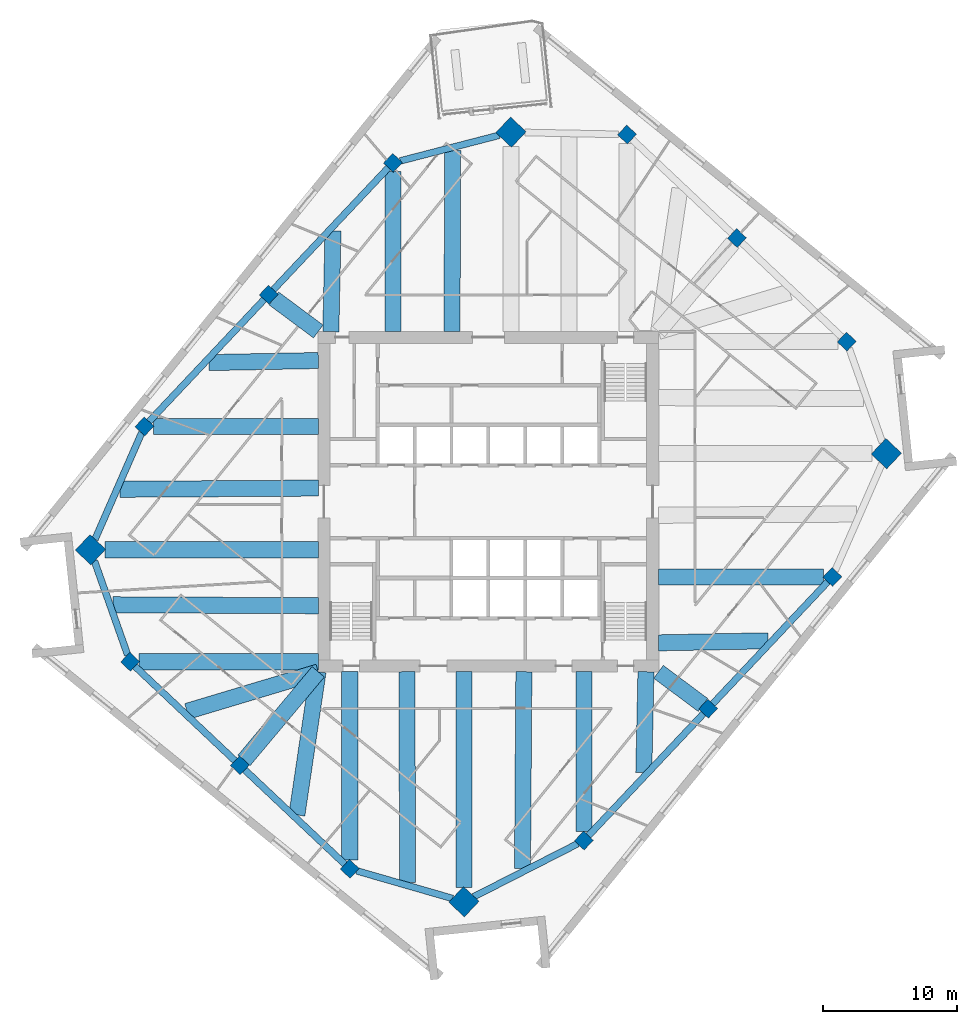
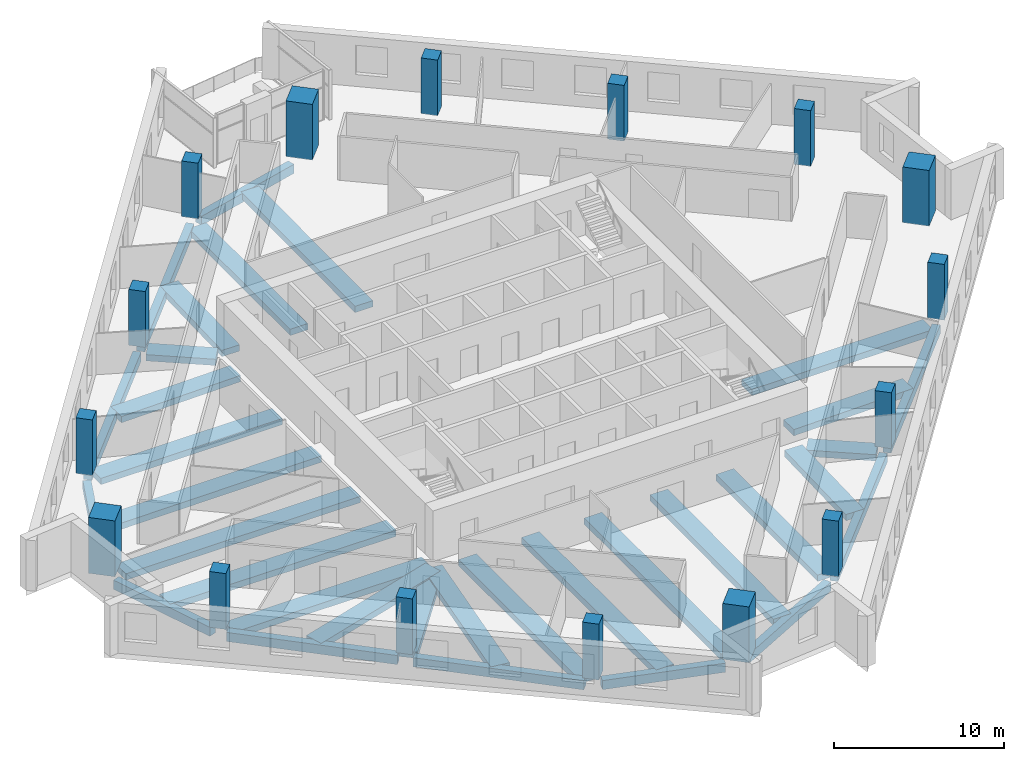
# One storey, part 1 of 14: 33 beams, 16 columns.
"""IFC4 building model written with IfcOpenShell, lengths in metres."""

from ifc_helpers import new_model, si_unit, direction, frame, origin, origin_2d, place, context, subcontext, project, spatial, rectangle, extrude, material, material_profile, profile_set, type_object, element, save


model = new_model("IFC4")

# Units and contexts
model_context = context("Model", 3, precision=1e-05, world=origin(), true_north=direction((0.0, 1.0)))
body_context = subcontext(model_context, "Body", "Model", "MODEL_VIEW")
ifc_project = project(units=[si_unit("LENGTHUNIT", "METRE"), si_unit("AREAUNIT", "SQUARE_METRE"), si_unit("VOLUMEUNIT", "CUBIC_METRE"), si_unit("PLANEANGLEUNIT", "RADIAN"), si_unit("MASSUNIT", "GRAM", prefix="KILO")], contexts=[model_context])

# Site, building, storey
site_placement = place(None, origin())
site = spatial("IfcSite", under=ifc_project, at=site_placement, CompositionType="ELEMENT")
building_placement = place(site_placement, origin())
building = spatial("IfcBuilding", under=site, at=building_placement, Name="Dilmun Exchange Tower", CompositionType="ELEMENT")
storey_placement = place(building_placement, frame((0.0, 0.0, 225.300048828125)))
storey = spatial("IfcBuildingStorey", under=building, at=storey_placement, Name="L53", CompositionType="ELEMENT", Elevation=225.300048828125)

# Columns
ifc_material_1 = material(Name="Concrete C60/75", Category="concrete")
ifc_material_profile_1 = material_profile(ifc_material_1, rectangle(XDim=1.60009765625, YDim=1.60009765625, at=origin_2d()), Name="1600 x 1600")
ifc_profile_set_1 = profile_set([ifc_material_profile_1], Name="Concrete C60/75")
column_type_1 = type_object("IfcColumnType", Name="RC mega column 1600 x 1600 C60/75", PredefinedType="COLUMN", material=ifc_profile_set_1)
for number, where, z_axis, x_axis, name in (
    (1, (1.68505859375, 27.5380859375, 0.0), (0.0, 0.0, 1.0), (0.685916152371, 0.727680583715, 0.0), "Mega column M1"),
    (2, (-29.658935546875, -3.58203125, 0.0), (0.0, 0.0, 1.0), (0.685916152371, 0.727680583715, 0.0), "Mega column M2"),
    (3, (-1.824951171875, -29.818115234375, 0.0), (0.0, 0.0, 1.0), (0.685916152371, 0.727680583715, 0.0), "Mega column M3"),
    (4, (29.658935546875, 3.58203125, 0.0), (0.0, 0.0, 1.0), (0.685916152371, 0.727680583715, 0.0), "Mega column M4"),
):
    element("IfcColumn", number, at=place(storey_placement, frame(where, z_axis=z_axis, x_axis=x_axis)), inside=storey, type_object=column_type_1, Name=name, PredefinedType="COLUMN", context=body_context, shape_type="SweptSolid", body=[
        extrude(rectangle(XDim=1.60009765625, YDim=1.60009765625, at=origin_2d()), origin(), (0.0, 0.0, 1.0), 4.0),
    ])
ifc_material_profile_2 = material_profile(ifc_material_1, rectangle(XDim=1.0, YDim=1.0, at=origin_2d()), Name="1000 x 1000")
ifc_profile_set_2 = profile_set([ifc_material_profile_2], Name="Concrete C60/75")
column_type_2 = type_object("IfcColumnType", Name="RC ring column 1000 x 1000 C60/75", PredefinedType="COLUMN", material=ifc_profile_set_2)
for number, where, z_axis, x_axis, name in (
    (5, (-7.113037109375, 25.257080078125, 0.0), (0.0, 0.0, 1.0), (0.685916152371, 0.727680583715, 0.0), "Ring column R01"),
    (6, (-16.373046875, 15.43310546875, 0.0), (0.0, 0.0, 1.0), (0.685916152371, 0.727680583715, 0.0), "Ring column R02"),
    (7, (-25.633056640625, 5.60888671875, 0.0), (0.0, 0.0, 1.0), (0.685916152371, 0.727680583715, 0.0), "Ring column R03"),
    (8, (-26.7060546875, -11.930908203125, 0.0), (0.0, 0.0, 1.0), (0.685916152371, 0.727680583715, 0.0), "Ring column R04"),
    (9, (-18.52001953125, -19.64697265625, 0.0), (0.0, 0.0, 1.0), (0.685916152371, 0.727680583715, 0.0), "Ring column R05"),
    (10, (-10.3330078125, -27.364013671875, 0.0), (0.0, 0.0, 1.0), (0.685916152371, 0.727680583715, 0.0), "Ring column R06"),
    (11, (7.113037109375, -25.257080078125, 0.0), (0.0, 0.0, 1.0), (0.685916152371, 0.727680583715, 0.0), "Ring column R07"),
    (12, (16.373046875, -15.43310546875, 0.0), (0.0, 0.0, 1.0), (0.685916152371, 0.727680583715, 0.0), "Ring column R08"),
    (13, (25.633056640625, -5.60888671875, 0.0), (0.0, 0.0, 1.0), (0.685916152371, 0.727680583715, 0.0), "Ring column R09"),
    (14, (26.7060546875, 11.930908203125, 0.0), (0.0, 0.0, 1.0), (0.685916152371, 0.727680583715, 0.0), "Ring column R10"),
    (15, (18.52001953125, 19.64697265625, 0.0), (0.0, 0.0, 1.0), (0.685916152371, 0.727680583715, 0.0), "Ring column R11"),
    (16, (10.3330078125, 27.364013671875, 0.0), (0.0, 0.0, 1.0), (0.685916152371, 0.727680583715, 0.0), "Ring column R12"),
):
    element("IfcColumn", number, at=place(storey_placement, frame(where, z_axis=z_axis, x_axis=x_axis)), inside=storey, type_object=column_type_2, Name=name, PredefinedType="COLUMN", context=body_context, shape_type="SweptSolid", body=[
        extrude(rectangle(XDim=1.0, YDim=1.0, at=origin_2d()), origin(), (0.0, 0.0, 1.0), 4.0),
    ])

# Beams
ifc_material_2 = material(Name="Concrete C40/50", Category="concrete")
ifc_material_profile_3 = material_profile(ifc_material_2, rectangle(XDim=1.199951171875, YDim=0.449951171875, at=origin_2d()), Name="1200 x 450")
ifc_profile_set_3 = profile_set([ifc_material_profile_3], Name="Concrete C40/50")
beam_type_1 = type_object("IfcBeamType", Name="RC band beam 1200 x 450 C40/50", PredefinedType="BEAM", material=ifc_profile_set_3)
beam_1_placement = place(storey_placement, frame((-7.113037109375, 24.596923828125, -0.705078125), z_axis=(0.0, -1.0, 0.0), x_axis=(1.0, 0.0, 0.0)))
element("IfcBeam", 17, at=beam_1_placement, inside=storey, type_object=beam_type_1, Name="Band beam 2", PredefinedType="BEAM", context=body_context, shape_type="SweptSolid", body=[
    extrude(rectangle(XDim=1.199951171875, YDim=0.449951171875, at=origin_2d()), origin(), (0.0, 0.0, 1.0), 11.923828125),
])
beam_2_placement = place(storey_placement, frame((-15.99072265625, 15.148681640625, -0.705078125), z_axis=(0.802264832552, -0.596968289317, 0.0), x_axis=(0.596968289317, 0.802264832552, 0.0)))
element("IfcBeam", 18, at=beam_2_placement, inside=storey, type_object=beam_type_1, Name="Band beam 3", PredefinedType="BEAM", context=body_context, shape_type="SweptSolid", body=[
    extrude(rectangle(XDim=1.199951171875, YDim=0.449951171875, at=origin_2d()), origin(), (0.0, 0.0, 1.0), 4.12890625),
])
beam_3_placement = place(storey_placement, frame((-24.972900390625, 5.60888671875, -0.705078125), z_axis=(1.0, 0.0, 0.0), x_axis=(0.0, 1.0, 0.0)))
element("IfcBeam", 19, at=beam_3_placement, inside=storey, type_object=beam_type_1, Name="Band beam 4", PredefinedType="BEAM", context=body_context, shape_type="SweptSolid", body=[
    extrude(rectangle(XDim=1.199951171875, YDim=0.449951171875, at=origin_2d()), origin(), (0.0, 0.0, 1.0), 12.2998046875),
])
beam_4_placement = place(storey_placement, frame((-28.586669921875, -3.58203125, -0.705078125), z_axis=(1.0, 0.0, 0.0), x_axis=(0.0, 1.0, 0.0)))
element("IfcBeam", 20, at=beam_4_placement, inside=storey, type_object=beam_type_1, Name="Band beam 5", PredefinedType="BEAM", context=body_context, shape_type="SweptSolid", body=[
    extrude(rectangle(XDim=1.199951171875, YDim=0.449951171875, at=origin_2d()), origin(), (0.0, 0.0, 1.0), 15.91357421875),
])
beam_5_placement = place(storey_placement, frame((-26.0458984375, -11.930908203125, -0.705078125), z_axis=(1.0, 0.0, 0.0), x_axis=(0.0, 1.0, 0.0)))
element("IfcBeam", 21, at=beam_5_placement, inside=storey, type_object=beam_type_1, Name="Band beam 6", PredefinedType="BEAM", context=body_context, shape_type="SweptSolid", body=[
    extrude(rectangle(XDim=1.199951171875, YDim=0.449951171875, at=origin_2d()), origin(), (0.0, 0.0, 1.0), 13.372802734375),
])
beam_6_placement = place(storey_placement, frame((-18.2158203125, -19.28369140625, -0.705078125), z_axis=(0.642200063897, 0.766537068856, 0.0), x_axis=(-0.766537068856, 0.642200063897, 0.0)))
element("IfcBeam", 22, at=beam_6_placement, inside=storey, type_object=beam_type_1, Name="Band beam 7", PredefinedType="BEAM", context=body_context, shape_type="SweptSolid", body=[
    extrude(rectangle(XDim=1.199951171875, YDim=0.449951171875, at=origin_2d()), origin(), (0.0, 0.0, 1.0), 8.615966796875),
])
beam_7_placement = place(storey_placement, frame((-10.3330078125, -26.703857421875, -0.705078125), z_axis=(0.0, 1.0, 0.0), x_axis=(-1.0, 0.0, 0.0)))
element("IfcBeam", 23, at=beam_7_placement, inside=storey, type_object=beam_type_1, Name="Band beam 8", PredefinedType="BEAM", context=body_context, shape_type="SweptSolid", body=[
    extrude(rectangle(XDim=1.199951171875, YDim=0.449951171875, at=origin_2d()), origin(), (0.0, 0.0, 1.0), 14.03076171875),
])
beam_8_placement = place(storey_placement, frame((-1.824951171875, -28.74560546875, -0.705078125), z_axis=(0.0, 1.0, 0.0), x_axis=(-1.0, 0.0, 0.0)))
element("IfcBeam", 24, at=beam_8_placement, inside=storey, type_object=beam_type_1, Name="Band beam 9", PredefinedType="BEAM", context=body_context, shape_type="SweptSolid", body=[
    extrude(rectangle(XDim=1.199951171875, YDim=0.449951171875, at=origin_2d()), origin(), (0.0, 0.0, 1.0), 16.072509765625),
])
beam_9_placement = place(storey_placement, frame((7.113037109375, -24.596923828125, -0.705078125), z_axis=(0.0, 1.0, 0.0), x_axis=(-1.0, 0.0, 0.0)))
element("IfcBeam", 25, at=beam_9_placement, inside=storey, type_object=beam_type_1, Name="Band beam 10", PredefinedType="BEAM", context=body_context, shape_type="SweptSolid", body=[
    extrude(rectangle(XDim=1.199951171875, YDim=0.449951171875, at=origin_2d()), origin(), (0.0, 0.0, 1.0), 11.923828125),
])
beam_10_placement = place(storey_placement, frame((15.99072265625, -15.148681640625, -0.705078125), z_axis=(-0.802264832552, 0.596968289317, 0.0), x_axis=(-0.596968289317, -0.802264832552, 0.0)))
element("IfcBeam", 26, at=beam_10_placement, inside=storey, type_object=beam_type_1, Name="Band beam 11", PredefinedType="BEAM", context=body_context, shape_type="SweptSolid", body=[
    extrude(rectangle(XDim=1.199951171875, YDim=0.449951171875, at=origin_2d()), origin(), (0.0, 0.0, 1.0), 4.12890625),
])
beam_11_placement = place(storey_placement, frame((24.972900390625, -5.60888671875, -0.705078125), z_axis=(-1.0, 0.0, 0.0), x_axis=(0.0, -1.0, 0.0)))
element("IfcBeam", 27, at=beam_11_placement, inside=storey, type_object=beam_type_1, Name="Band beam 12", PredefinedType="BEAM", context=body_context, shape_type="SweptSolid", body=[
    extrude(rectangle(XDim=1.199951171875, YDim=0.449951171875, at=origin_2d()), origin(), (0.0, 0.0, 1.0), 12.2998046875),
])
beam_12_placement = place(storey_placement, frame((-2.657958984375, 26.181640625, -0.60498046875), z_axis=(-0.004156765881, -0.999991360611, 0.0), x_axis=(0.999991360611, -0.004156765881, 0.0)))
element("IfcBeam", 28, at=beam_12_placement, inside=storey, type_object=beam_type_1, Name="Band beam 17", PredefinedType="BEAM", context=body_context, shape_type="SweptSolid", body=[
    extrude(rectangle(XDim=1.199951171875, YDim=0.449951171875, at=origin_2d()), origin(), (0.0, 0.0, 1.0), 13.508544921875),
])
beam_13_placement = place(storey_placement, frame((-11.580810546875, 20.19189453125, -0.60498046875), z_axis=(-0.021555532074, -0.999767652526, 0.0), x_axis=(0.999767652526, -0.021555532074, 0.0)))
element("IfcBeam", 29, at=beam_13_placement, inside=storey, type_object=beam_type_1, Name="Band beam 18", PredefinedType="BEAM", context=body_context, shape_type="SweptSolid", body=[
    extrude(rectangle(XDim=1.199951171875, YDim=0.449951171875, at=origin_2d()), origin(), (0.0, 0.0, 1.0), 7.5205078125),
])
beam_14_placement = place(storey_placement, frame((-20.8408203125, 10.367919921875, -0.60498046875), z_axis=(0.999824422594, 0.018738302585, 0.0), x_axis=(-0.018738302585, 0.999824422594, 0.0)))
element("IfcBeam", 30, at=beam_14_placement, inside=storey, type_object=beam_type_1, Name="Band beam 19", PredefinedType="BEAM", context=body_context, shape_type="SweptSolid", body=[
    extrude(rectangle(XDim=1.199951171875, YDim=0.449951171875, at=origin_2d()), origin(), (0.0, 0.0, 1.0), 8.169189453125),
])
beam_15_placement = place(storey_placement, frame((-27.441650390625, 0.924072265625, -0.60498046875), z_axis=(0.999981696912, 0.006050276087, 0.0), x_axis=(-0.006050276087, 0.999981696912, 0.0)))
element("IfcBeam", 31, at=beam_15_placement, inside=storey, type_object=beam_type_1, Name="Band beam 20", PredefinedType="BEAM", context=body_context, shape_type="SweptSolid", body=[
    extrude(rectangle(XDim=1.199951171875, YDim=0.449951171875, at=origin_2d()), origin(), (0.0, 0.0, 1.0), 14.768798828125),
])
beam_16_placement = place(storey_placement, frame((-27.972412109375, -7.68212890625, -0.60498046875), z_axis=(0.99998815601, -0.004867015408, 0.0), x_axis=(0.004867015408, 0.99998815601, 0.0)))
element("IfcBeam", 32, at=beam_16_placement, inside=storey, type_object=beam_type_1, Name="Band beam 21", PredefinedType="BEAM", context=body_context, shape_type="SweptSolid", body=[
    extrude(rectangle(XDim=1.199951171875, YDim=0.449951171875, at=origin_2d()), origin(), (0.0, 0.0, 1.0), 15.299560546875),
])
beam_17_placement = place(storey_placement, frame((-22.4599609375, -15.626708984375, -0.60498046875), z_axis=(0.957849959988, 0.287268957862, 0.0), x_axis=(-0.287268957862, 0.957849959988, 0.0)))
element("IfcBeam", 33, at=beam_17_placement, inside=storey, type_object=beam_type_1, Name="Band beam 22", PredefinedType="BEAM", context=body_context, shape_type="SweptSolid", body=[
    extrude(rectangle(XDim=1.199951171875, YDim=0.449951171875, at=origin_2d()), origin(), (0.0, 0.0, 1.0), 10.21630859375),
])
beam_18_placement = place(storey_placement, frame((-14.2734375, -23.34326171875, -0.60498046875), z_axis=(0.146268101323, 0.989244986106, 0.0), x_axis=(-0.989244986106, 0.146268101323, 0.0)))
element("IfcBeam", 34, at=beam_18_placement, inside=storey, type_object=beam_type_1, Name="Band beam 23", PredefinedType="BEAM", context=body_context, shape_type="SweptSolid", body=[
    extrude(rectangle(XDim=1.199951171875, YDim=0.449951171875, at=origin_2d()), origin(), (0.0, 0.0, 1.0), 10.785888671875),
])
beam_19_placement = place(storey_placement, frame((-6.01708984375, -28.376708984375, -0.60498046875), z_axis=(-0.003948851398, 0.999992203256, 0.0), x_axis=(-0.999992203256, -0.003948851398, 0.0)))
element("IfcBeam", 35, at=beam_19_placement, inside=storey, type_object=beam_type_1, Name="Band beam 24", PredefinedType="BEAM", context=body_context, shape_type="SweptSolid", body=[
    extrude(rectangle(XDim=1.199951171875, YDim=0.449951171875, at=origin_2d()), origin(), (0.0, 0.0, 1.0), 15.703857421875),
])
beam_20_placement = place(storey_placement, frame((2.54248046875, -27.3388671875, -0.60498046875), z_axis=(0.006924972536, 0.99997602209, 0.0), x_axis=(-0.99997602209, 0.006924972536, 0.0)))
element("IfcBeam", 36, at=beam_20_placement, inside=storey, type_object=beam_type_1, Name="Band beam 25", PredefinedType="BEAM", context=body_context, shape_type="SweptSolid", body=[
    extrude(rectangle(XDim=1.199951171875, YDim=0.449951171875, at=origin_2d()), origin(), (0.0, 0.0, 1.0), 14.666015625),
])
beam_21_placement = place(storey_placement, frame((11.580810546875, -20.19189453125, -0.60498046875), z_axis=(0.021555532074, 0.999767652526, 0.0), x_axis=(-0.999767652526, 0.021555532074, 0.0)))
element("IfcBeam", 37, at=beam_21_placement, inside=storey, type_object=beam_type_1, Name="Band beam 26", PredefinedType="BEAM", context=body_context, shape_type="SweptSolid", body=[
    extrude(rectangle(XDim=1.199951171875, YDim=0.449951171875, at=origin_2d()), origin(), (0.0, 0.0, 1.0), 7.5205078125),
])
beam_22_placement = place(storey_placement, frame((20.8408203125, -10.367919921875, -0.60498046875), z_axis=(-0.999824422594, -0.018738302585, 0.0), x_axis=(0.018738302585, -0.999824422594, 0.0)))
element("IfcBeam", 38, at=beam_22_placement, inside=storey, type_object=beam_type_1, Name="Band beam 27", PredefinedType="BEAM", context=body_context, shape_type="SweptSolid", body=[
    extrude(rectangle(XDim=1.199951171875, YDim=0.449951171875, at=origin_2d()), origin(), (0.0, 0.0, 1.0), 8.169189453125),
])
ifc_material_profile_4 = material_profile(ifc_material_2, rectangle(XDim=0.5, YDim=0.64990234375, at=origin_2d()), Name="500 x 650")
ifc_profile_set_4 = profile_set([ifc_material_profile_4], Name="Concrete C40/50")
beam_type_2 = type_object("IfcBeamType", Name="RC ring beam 500 x 650 C40/50", PredefinedType="SPANDREL", material=ifc_profile_set_4)
beam_23_placement = place(storey_placement, frame((0.79638671875, 27.3076171875, -0.705078125), z_axis=(-0.967995165605, -0.250968841424, 0.0), x_axis=(0.250968841424, -0.967995165605, 0.0)))
element("IfcBeam", 39, at=beam_23_placement, inside=storey, type_object=beam_type_2, Name="Ring beam 1", PredefinedType="SPANDREL", context=body_context, shape_type="SweptSolid", body=[
    extrude(rectangle(XDim=0.5, YDim=0.64990234375, at=origin_2d()), origin(), (0.0, 0.0, 1.0), 7.607177734375),
])
for number, where, z_axis, x_axis, name in (
    (40, (-7.4375, 24.912841796875, -0.705078125), (-0.685902559512, -0.727693396188, 0.0), (0.727693396188, -0.685902559512, 0.0), "Ring beam 2"),
    (41, (-16.697509765625, 15.0888671875, -0.705078125), (-0.685902559512, -0.727693396188, 0.0), (0.727693396188, -0.685902559512, 0.0), "Ring beam 3"),
):
    element("IfcBeam", number, at=place(storey_placement, frame(where, z_axis=z_axis, x_axis=x_axis)), inside=storey, type_object=beam_type_2, Name=name, PredefinedType="SPANDREL", context=body_context, shape_type="SweptSolid", body=[
        extrude(rectangle(XDim=0.5, YDim=0.64990234375, at=origin_2d()), origin(), (0.0, 0.0, 1.0), 12.554443359375),
    ])
beam_24_placement = place(storey_placement, frame((-25.835205078125, 5.1474609375, -0.705078125), z_axis=(-0.401239440722, -0.915973204416, 0.0), x_axis=(0.915973204416, -0.401239440722, 0.0)))
element("IfcBeam", 42, at=beam_24_placement, inside=storey, type_object=beam_type_2, Name="Ring beam 4", PredefinedType="SPANDREL", context=body_context, shape_type="SweptSolid", body=[
    extrude(rectangle(XDim=0.5, YDim=0.64990234375, at=origin_2d()), origin(), (0.0, 0.0, 1.0), 8.707763671875),
])
beam_25_placement = place(storey_placement, frame((-29.367919921875, -4.404541015625, -0.705078125), z_axis=(0.333423578623, -0.942777130195, 0.0), x_axis=(0.942777130195, 0.333423578623, 0.0)))
element("IfcBeam", 43, at=beam_25_placement, inside=storey, type_object=beam_type_2, Name="Ring beam 5", PredefinedType="SPANDREL", context=body_context, shape_type="SweptSolid", body=[
    extrude(rectangle(XDim=0.5, YDim=0.64990234375, at=origin_2d()), origin(), (0.0, 0.0, 1.0), 7.4482421875),
])
beam_26_placement = place(storey_placement, frame((-26.36181640625, -12.25537109375, -0.705078125), z_axis=(0.727685706374, -0.68591071776, 0.0), x_axis=(0.68591071776, 0.727685706374, 0.0)))
element("IfcBeam", 44, at=beam_26_placement, inside=storey, type_object=beam_type_2, Name="Ring beam 6", PredefinedType="SPANDREL", context=body_context, shape_type="SweptSolid", body=[
    extrude(rectangle(XDim=0.5, YDim=0.64990234375, at=origin_2d()), origin(), (0.0, 0.0, 1.0), 10.30322265625),
])
beam_27_placement = place(storey_placement, frame((-18.17578125, -19.971435546875, -0.705078125), z_axis=(0.727682990869, -0.685913598641, 0.0), x_axis=(0.685913598641, 0.727682990869, 0.0)))
element("IfcBeam", 45, at=beam_27_placement, inside=storey, type_object=beam_type_2, Name="Ring beam 7", PredefinedType="SPANDREL", context=body_context, shape_type="SweptSolid", body=[
    extrude(rectangle(XDim=0.5, YDim=0.64990234375, at=origin_2d()), origin(), (0.0, 0.0, 1.0), 10.3046875),
])
beam_28_placement = place(storey_placement, frame((-9.818603515625, -27.51220703125, -0.705078125), z_axis=(0.960825605861, -0.277153666983, 0.0), x_axis=(0.277153666983, 0.960825605861, 0.0)))
element("IfcBeam", 46, at=beam_28_placement, inside=storey, type_object=beam_type_2, Name="Ring beam 8", PredefinedType="SPANDREL", context=body_context, shape_type="SweptSolid", body=[
    extrude(rectangle(XDim=0.5, YDim=0.64990234375, at=origin_2d()), origin(), (0.0, 0.0, 1.0), 7.447021484375),
])
beam_29_placement = place(storey_placement, frame((-1.09228515625, -29.444091796875, -0.705078125), z_axis=(0.89072990219, 0.454532992581, 0.0), x_axis=(-0.454532992581, 0.89072990219, 0.0)))
element("IfcBeam", 47, at=beam_29_placement, inside=storey, type_object=beam_type_2, Name="Ring beam 9", PredefinedType="SPANDREL", context=body_context, shape_type="SweptSolid", body=[
    extrude(rectangle(XDim=0.5, YDim=0.64990234375, at=origin_2d()), origin(), (0.0, 0.0, 1.0), 8.707763671875),
])
for number, where, z_axis, x_axis, name in (
    (48, (7.4375, -24.912841796875, -0.705078125), (0.685902559512, 0.727693396188, 0.0), (-0.727693396188, 0.685902559512, 0.0), "Ring beam 10"),
    (49, (16.697509765625, -15.0888671875, -0.705078125), (0.685902559512, 0.727693396188, 0.0), (-0.727693396188, 0.685902559512, 0.0), "Ring beam 11"),
):
    element("IfcBeam", number, at=place(storey_placement, frame(where, z_axis=z_axis, x_axis=x_axis)), inside=storey, type_object=beam_type_2, Name=name, PredefinedType="SPANDREL", context=body_context, shape_type="SweptSolid", body=[
        extrude(rectangle(XDim=0.5, YDim=0.64990234375, at=origin_2d()), origin(), (0.0, 0.0, 1.0), 12.554443359375),
    ])

save(model, "model.ifc")
